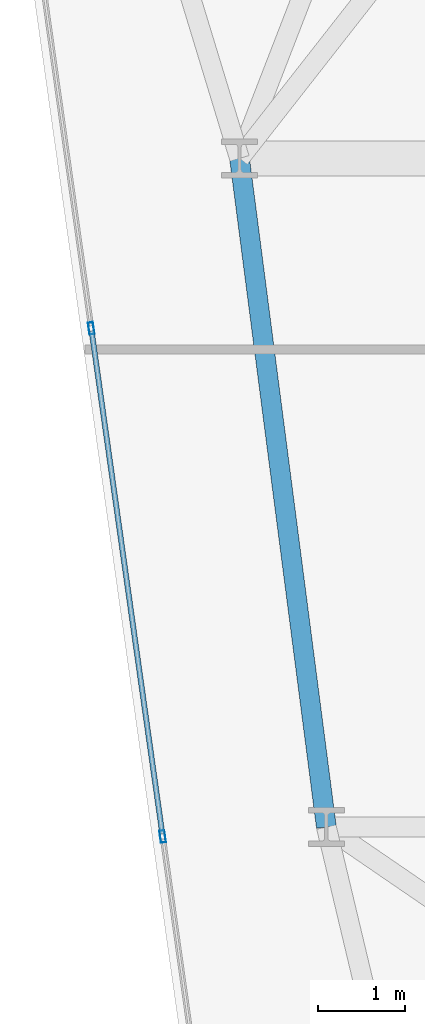
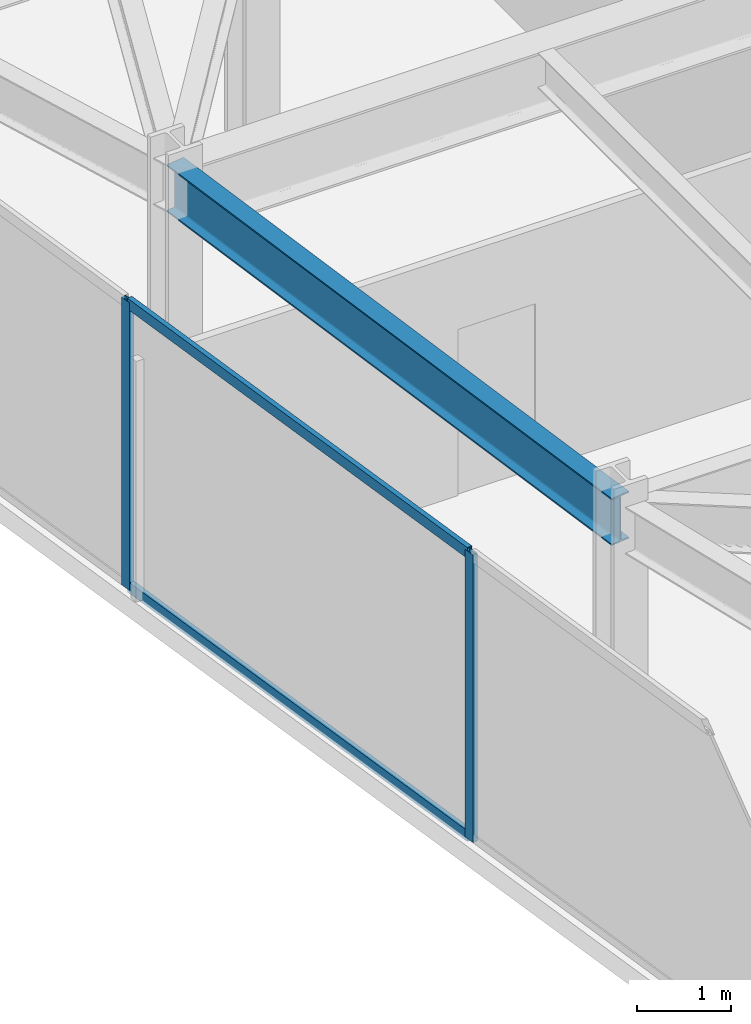
# One storey, part 5 of 26: 4 members, 1 beam, 1 element without a shape of its own.
"""IFC4 building model written with IfcOpenShell, lengths in metres."""

from ifc_helpers import new_model, si_unit, direction, frame, origin, origin_2d, place, context, subcontext, project, spatial, hollow_rectangle, i_section, extrude, material, layer, layer_set, material_profile, profile_set, type_object, element, aggregate, save


model = new_model("IFC4")

# Units and contexts
model_context = context("Model", 3, precision=1e-05, world=origin(), true_north=direction((0.0, 1.0)))
body_context = subcontext(model_context, "Body", "Model", "MODEL_VIEW")
ifc_project = project(units=[si_unit("LENGTHUNIT", "METRE"), si_unit("AREAUNIT", "SQUARE_METRE"), si_unit("VOLUMEUNIT", "CUBIC_METRE"), si_unit("PLANEANGLEUNIT", "RADIAN"), si_unit("MASSUNIT", "GRAM", prefix="KILO")], contexts=[model_context])

# Site, building, storey
site_placement = place(None, origin())
site = spatial("IfcSite", under=ifc_project, at=site_placement, CompositionType="ELEMENT")
building_placement = place(site_placement, origin())
building = spatial("IfcBuilding", under=site, at=building_placement, Name="Kravanh Interchange Tower", CompositionType="ELEMENT")
storey_placement = place(building_placement, frame((0.0, 0.0, 152.0)))
storey = spatial("IfcBuildingStorey", under=building, at=storey_placement, Name="L36", CompositionType="ELEMENT", Elevation=152.0)

# Curtain wall, members
ifc_material_1 = material(Name="Anodised Bronze Aluminium", Category="aluminium")
ifc_layer = layer(ifc_material_1, 0.179931640625)
ifc_layer_set = layer_set([ifc_layer], Name="Unitised Curtain Wall System CW-Z2 Mid Office")
curtain_wall_type = type_object("IfcCurtainWallType", Name="Unitised Curtain Wall System CW-Z2 Mid Office", PredefinedType="NOTDEFINED", material=ifc_layer_set)
curtain_wall_placement = place(storey_placement, origin())
curtain_wall = element("IfcCurtainWall", 1, at=curtain_wall_placement, inside=storey, type_object=curtain_wall_type, Name="L36 Unitised Curtain Wall CW-L36-01", PredefinedType="NOTDEFINED")
ifc_material_2 = material(Name="Anodised Bronze Aluminium", Category="aluminium")
ifc_material_profile_1 = material_profile(ifc_material_2, hollow_rectangle(XDim=0.06005859375, YDim=0.139892578125, WallThickness=0.00390625, at=origin_2d()), Name="ALU60X140X4")
ifc_profile_set_1 = profile_set([ifc_material_profile_1], Name="Anodised Bronze Aluminium")
member_type_1 = type_object("IfcMemberType", Name="Curtain Wall Mullion ALU60X140X4 Bronze", PredefinedType="MULLION", material=ifc_profile_set_1)
member_1_placement = place(storey_placement, frame((14.114990234375, 14.390869140625, 0.0), z_axis=(0.0, 0.0, 1.0), x_axis=(-0.990268103846, -0.13917285118, 0.0)))
member_1 = element("IfcMember", 2, at=member_1_placement, type_object=member_type_1, Name="CW-Z2 mullion 2", PredefinedType="MULLION", context=body_context, shape_type="SweptSolid", body=[
    extrude(hollow_rectangle(XDim=0.06005859375, YDim=0.139892578125, WallThickness=0.00390625, at=origin_2d()), origin(), (0.0, 0.0, 1.0), 3.719970703125),
])
member_2_placement = place(storey_placement, frame((13.29248046875, 20.2431640625, 0.0), z_axis=(0.0, 0.0, 1.0), x_axis=(-0.990268103846, -0.13917285118, 0.0)))
member_2 = element("IfcMember", 3, at=member_2_placement, type_object=member_type_1, Name="CW-Z2 mullion 3", PredefinedType="MULLION", context=body_context, shape_type="SweptSolid", body=[
    extrude(hollow_rectangle(XDim=0.06005859375, YDim=0.139892578125, WallThickness=0.00390625, at=origin_2d()), origin(), (0.0, 0.0, 1.0), 3.719970703125),
])
ifc_material_3 = material(Name="Anodised Bronze Aluminium", Category="aluminium")
ifc_material_profile_2 = material_profile(ifc_material_3, hollow_rectangle(XDim=0.06005859375, YDim=0.139892578125, WallThickness=0.00390625, at=origin_2d()), Name="ALU60X140X4")
ifc_profile_set_2 = profile_set([ifc_material_profile_2], Name="Anodised Bronze Aluminium")
member_type_2 = type_object("IfcMemberType", Name="Curtain Wall Transom ALU60X140X4 Bronze", PredefinedType="USERDEFINED", material=ifc_profile_set_2)
member_3_placement = place(storey_placement, frame((14.11083984375, 14.420654296875, 0.030029296875), z_axis=(-0.139183212647, 0.990266647584, 0.0), x_axis=(-0.990266647584, -0.139183212647, 0.0)))
member_3 = element("IfcMember", 4, at=member_3_placement, type_object=member_type_2, Name="CW-Z2 transom 2.1", ObjectType="TRANSOM", PredefinedType="USERDEFINED", context=body_context, shape_type="SweptSolid", body=[
    extrude(hollow_rectangle(XDim=0.06005859375, YDim=0.139892578125, WallThickness=0.00390625, at=origin_2d()), origin(), (0.0, 0.0, 1.0), 5.849853515625),
])
member_4_placement = place(storey_placement, frame((14.11083984375, 14.420654296875, 3.68994140625), z_axis=(-0.139183212647, 0.990266647584, 0.0), x_axis=(-0.990266647584, -0.139183212647, 0.0)))
member_4 = element("IfcMember", 5, at=member_4_placement, type_object=member_type_2, Name="CW-Z2 transom 2.2", ObjectType="TRANSOM", PredefinedType="USERDEFINED", context=body_context, shape_type="SweptSolid", body=[
    extrude(hollow_rectangle(XDim=0.06005859375, YDim=0.139892578125, WallThickness=0.00390625, at=origin_2d()), origin(), (0.0, 0.0, 1.0), 5.849853515625),
])
aggregate(curtain_wall, [member_1, member_2, member_3, member_4])

# Beam
ifc_material_4 = material(Name="Structural Steel S355", Category="steel")
ifc_material_profile_3 = material_profile(ifc_material_4, i_section(OverallWidth=0.22802734375, OverallDepth=0.60791015625, WebThickness=0.01123046875, FlangeThickness=0.017333984375, FilletRadius=0.02197265625, at=origin_2d()), Name="W24X76")
ifc_profile_set_3 = profile_set([ifc_material_profile_3], Name="Structural Steel S355")
beam_type = type_object("IfcBeamType", Name="Floor Spandrel W24X76 Structural Steel S355", PredefinedType="SPANDREL", material=ifc_profile_set_3)
beam_placement = place(storey_placement, frame((16.0, 14.5, 3.416015625), z_axis=(-0.128789384125, 0.99167196922, 0.0), x_axis=(-0.99167196922, -0.128789384125, 0.0)))
element("IfcBeam", 6, at=beam_placement, inside=storey, type_object=beam_type, Name="L36 Perimeter Spandrel 100", PredefinedType="SPANDREL", context=body_context, shape_type="SweptSolid", body=[
    extrude(i_section(OverallWidth=0.22802734375, OverallDepth=0.60791015625, WebThickness=0.01123046875, FlangeThickness=0.017333984375, FilletRadius=0.02197265625, at=origin_2d()), origin(), (0.0, 0.0, 1.0), 7.7646484375),
])

save(model, "model.ifc")
